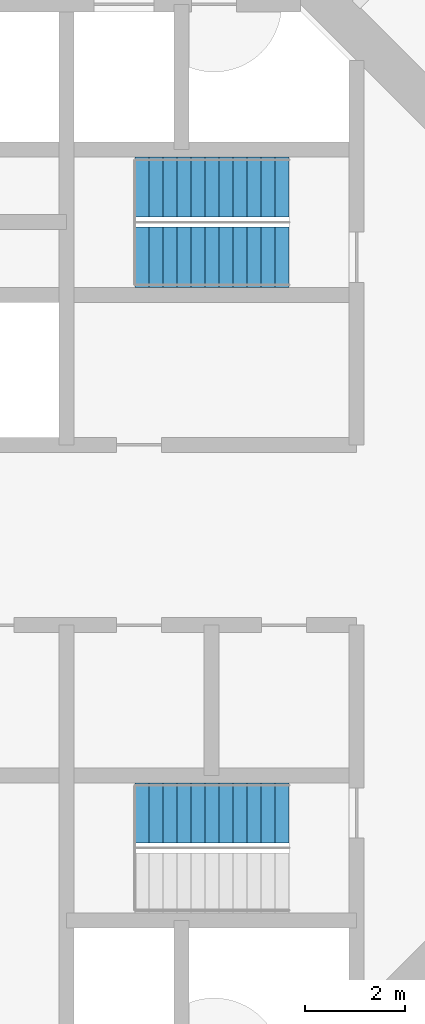
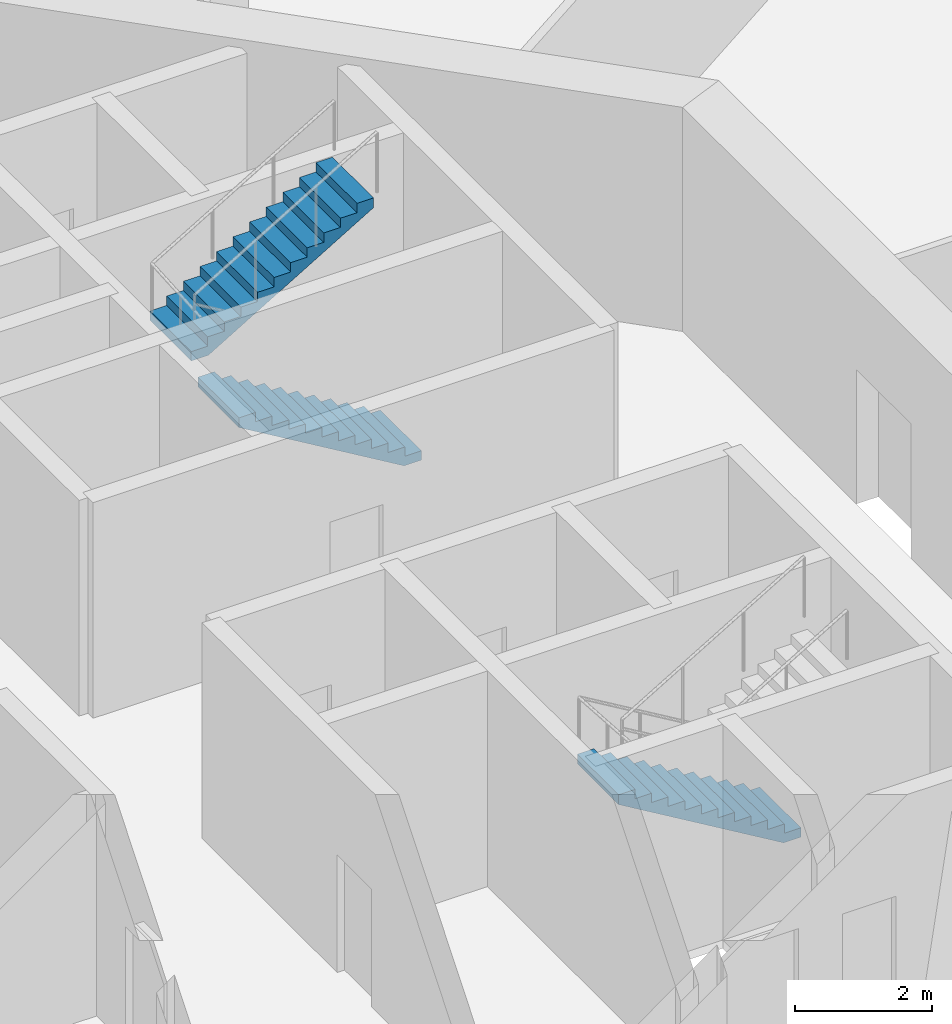
# One storey, part 6 of 17: 3 stair flights, 2 elements without a shape of their own.
"""IFC4 building model written with IfcOpenShell, lengths in metres."""

from ifc_helpers import new_model, si_unit, direction, frame, origin, place, context, subcontext, project, spatial, polyline, outline, extrude, material, type_object, element, aggregate, save


model = new_model("IFC4")

# Units and contexts
model_context = context("Model", 3, precision=1e-05, world=origin(), true_north=direction((0.0, 1.0)))
body_context = subcontext(model_context, "Body", "Model", "MODEL_VIEW")
ifc_project = project(units=[si_unit("LENGTHUNIT", "METRE"), si_unit("AREAUNIT", "SQUARE_METRE"), si_unit("VOLUMEUNIT", "CUBIC_METRE"), si_unit("PLANEANGLEUNIT", "RADIAN"), si_unit("MASSUNIT", "GRAM", prefix="KILO")], contexts=[model_context])

# Site, building, storey
site_placement = place(None, origin())
site = spatial("IfcSite", under=ifc_project, at=site_placement, CompositionType="ELEMENT")
building_placement = place(site_placement, origin())
building = spatial("IfcBuilding", under=site, at=building_placement, Name="Entoto Ring Tower", CompositionType="ELEMENT")
storey_placement = place(building_placement, frame((0.0, 0.0, 306.0)))
storey = spatial("IfcBuildingStorey", under=building, at=storey_placement, Name="L70", CompositionType="ELEMENT", Elevation=306.0)

# Stair, stair flights
ifc_material_1 = material(Name="Concrete C40/50", Category="concrete")
stair_type = type_object("IfcStairType", Name="Exit stair 1200 mm dog-leg reinforced concrete", PredefinedType="HALF_TURN_STAIR", material=ifc_material_1)
stair_1_placement = place(storey_placement, origin())
stair_1 = element("IfcStair", 1, at=stair_1_placement, inside=storey, type_object=stair_type, Name="Exit stair 1", PredefinedType="HALF_TURN_STAIR")
ifc_material_2 = material(Name="Concrete C40/50", Category="concrete")
stair_flight_type = type_object("IfcStairFlightType", Name="Stair flight 1200 mm reinforced concrete", PredefinedType="STRAIGHT", material=ifc_material_2)
stair_flight_1_placement = place(storey_placement, frame((99.25, 85.550048828125, 0.0), z_axis=(0.0, 0.0, 1.0), x_axis=(-1.0, 0.0, 0.0)))
stair_flight_1 = element("IfcStairFlight", 2, at=stair_flight_1_placement, type_object=stair_flight_type, Name="ST1 flight 1", NumberOfRisers=12, NumberOfTreads=11, PredefinedType="STRAIGHT", RiserHeight=0.166666667, TreadLength=0.28, context=body_context, shape_type="SweptSolid", body=[
    extrude(outline(polyline([(0.0, 0.0), (0.0, 0.166748046875), (0.280029296875, 0.166748046875), (0.280029296875, 0.333251953125), (0.56005859375, 0.333251953125), (0.56005859375, 0.5), (0.840087890625, 0.5), (0.840087890625, 0.666748046875), (1.1201171875, 0.666748046875), (1.1201171875, 0.833251953125), (1.39990234375, 0.833251953125), (1.39990234375, 1.0), (1.679931640625, 1.0), (1.679931640625, 1.166748046875), (1.9599609375, 1.166748046875), (1.9599609375, 1.333251953125), (2.239990234375, 1.333251953125), (2.239990234375, 1.5), (2.52001953125, 1.5), (2.52001953125, 1.666748046875), (2.800048828125, 1.666748046875), (2.800048828125, 1.833251953125), (3.080078125, 1.833251953125), (3.080078125, 2.0), (3.080078125, 1.658935546875), (0.29296875, 0.0), (0.0, 0.0)])), frame((0.0, 0.60009765625, 0.0), z_axis=(0.0, -1.0, 0.0), x_axis=(1.0, 0.0, 0.0)), (0.0, 0.0, 1.0), 1.199951171875),
])
stair_flight_2_placement = place(storey_placement, frame((96.169921875, 86.949951171875, 2.0), z_axis=(0.0, 0.0, 1.0), x_axis=(1.0, 0.0, 0.0)))
stair_flight_2 = element("IfcStairFlight", 3, at=stair_flight_2_placement, type_object=stair_flight_type, Name="ST1 flight 2", NumberOfRisers=12, NumberOfTreads=11, PredefinedType="STRAIGHT", RiserHeight=0.166666667, TreadLength=0.28, context=body_context, shape_type="SweptSolid", body=[
    extrude(outline(polyline([(0.0, 0.0), (0.0, 0.166748046875), (0.280029296875, 0.166748046875), (0.280029296875, 0.333251953125), (0.56005859375, 0.333251953125), (0.56005859375, 0.5), (0.840087890625, 0.5), (0.840087890625, 0.666748046875), (1.1201171875, 0.666748046875), (1.1201171875, 0.833251953125), (1.39990234375, 0.833251953125), (1.39990234375, 1.0), (1.679931640625, 1.0), (1.679931640625, 1.166748046875), (1.9599609375, 1.166748046875), (1.9599609375, 1.333251953125), (2.239990234375, 1.333251953125), (2.239990234375, 1.5), (2.52001953125, 1.5), (2.52001953125, 1.666748046875), (2.800048828125, 1.666748046875), (2.800048828125, 1.833251953125), (3.080078125, 1.833251953125), (3.080078125, 2.0), (3.080078125, 1.658935546875), (0.29296875, 0.0), (0.0, 0.0)])), frame((0.0, 0.60009765625, 0.0), z_axis=(0.0, -1.0, 0.0), x_axis=(1.0, 0.0, 0.0)), (0.0, 0.0, 1.0), 1.199951171875),
])
aggregate(stair_1, [stair_flight_1, stair_flight_2])

# Stair, stair flight
stair_2_placement = place(storey_placement, origin())
stair_2 = element("IfcStair", 4, at=stair_2_placement, inside=storey, type_object=stair_type, Name="Exit stair 3", PredefinedType="HALF_TURN_STAIR")
stair_flight_3_placement = place(storey_placement, frame((99.25, 74.449951171875, 0.0), z_axis=(0.0, 0.0, 1.0), x_axis=(-1.0, 0.0, 0.0)))
stair_flight_3 = element("IfcStairFlight", 5, at=stair_flight_3_placement, type_object=stair_flight_type, Name="ST3 flight 1", NumberOfRisers=12, NumberOfTreads=11, PredefinedType="STRAIGHT", RiserHeight=0.166666667, TreadLength=0.28, context=body_context, shape_type="SweptSolid", body=[
    extrude(outline(polyline([(0.0, 0.0), (0.0, 0.166748046875), (0.280029296875, 0.166748046875), (0.280029296875, 0.333251953125), (0.56005859375, 0.333251953125), (0.56005859375, 0.5), (0.840087890625, 0.5), (0.840087890625, 0.666748046875), (1.1201171875, 0.666748046875), (1.1201171875, 0.833251953125), (1.39990234375, 0.833251953125), (1.39990234375, 1.0), (1.679931640625, 1.0), (1.679931640625, 1.166748046875), (1.9599609375, 1.166748046875), (1.9599609375, 1.333251953125), (2.239990234375, 1.333251953125), (2.239990234375, 1.5), (2.52001953125, 1.5), (2.52001953125, 1.666748046875), (2.800048828125, 1.666748046875), (2.800048828125, 1.833251953125), (3.080078125, 1.833251953125), (3.080078125, 2.0), (3.080078125, 1.658935546875), (0.29296875, 0.0), (0.0, 0.0)])), frame((0.0, 0.60009765625, 0.0), z_axis=(0.0, -1.0, 0.0), x_axis=(1.0, 0.0, 0.0)), (0.0, 0.0, 1.0), 1.199951171875),
])
aggregate(stair_2, [stair_flight_3])

save(model, "model.ifc")
